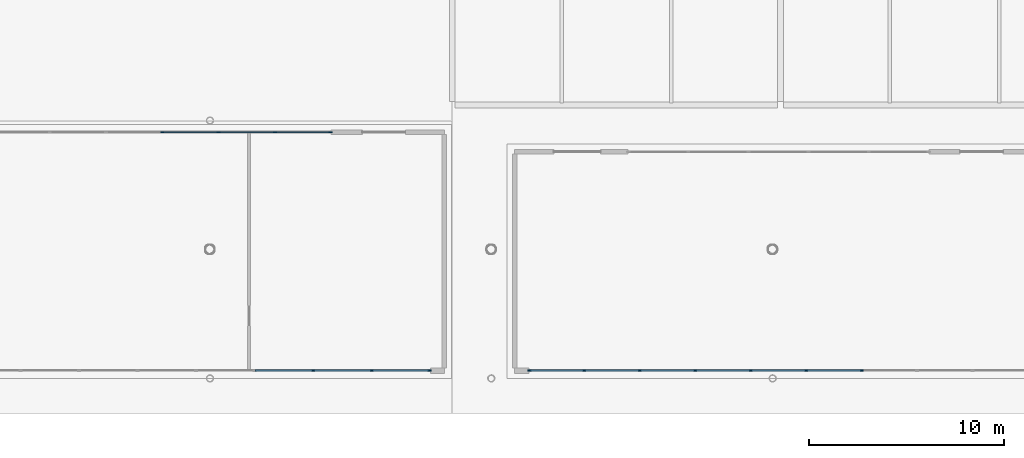
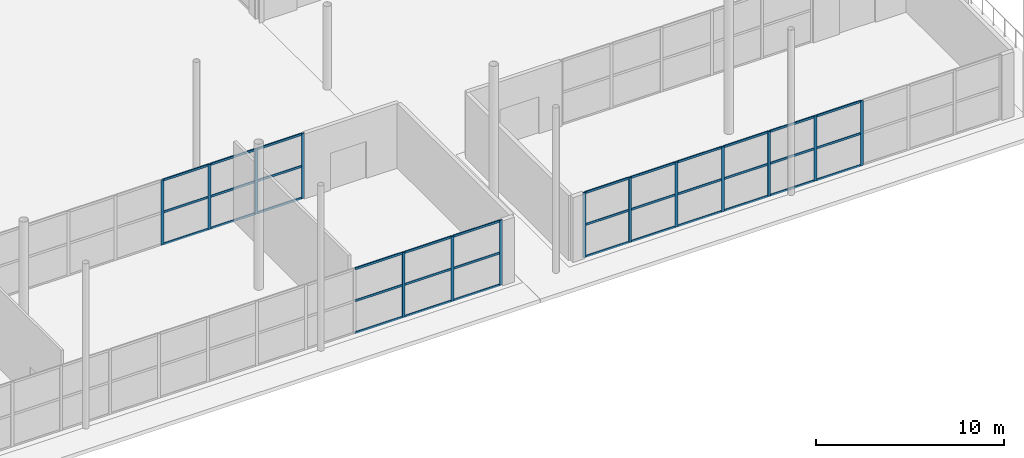
# One storey, part 20 of 87: 50 members, 3 elements without a shape of their own.
"""IFC4 building model written with IfcOpenShell, lengths in metres."""

from ifc_helpers import new_model, si_unit, direction, frame, origin, origin_2d, place, context, subcontext, project, spatial, rectangle, extrude, material, material_profile, profile_set, type_object, element, aggregate, save


model = new_model("IFC4")

# Units and contexts
model_context = context("Model", 3, precision=1e-05, world=origin(), true_north=direction((0.0, 1.0)))
body_context = subcontext(model_context, "Body", "Model", "MODEL_VIEW")
ifc_project = project(units=[si_unit("LENGTHUNIT", "METRE"), si_unit("AREAUNIT", "SQUARE_METRE"), si_unit("VOLUMEUNIT", "CUBIC_METRE"), si_unit("PLANEANGLEUNIT", "RADIAN"), si_unit("MASSUNIT", "GRAM", prefix="KILO")], contexts=[model_context])

# Site, building, storey
site_placement = place(None, origin())
site = spatial("IfcSite", under=ifc_project, at=site_placement, CompositionType="ELEMENT")
building_placement = place(site_placement, origin())
building = spatial("IfcBuilding", under=site, at=building_placement, Name="Kimbaza Rail Terminus", CompositionType="ELEMENT")
storey_placement = place(building_placement, origin())
storey = spatial("IfcBuildingStorey", under=building, at=storey_placement, Name="L00", CompositionType="ELEMENT", Elevation=0.0)

# Curtain wall, members
ifc_material_1 = material(Name="Anodised aluminium framing and solar low-E glazing", Category="aluminium")
curtain_wall_type = type_object("IfcCurtainWallType", Name="ARC-CW-PV1", PredefinedType="USERDEFINED", material=ifc_material_1)
curtain_wall_1_placement = place(storey_placement, origin())
curtain_wall_1 = element("IfcCurtainWall", 1, at=curtain_wall_1_placement, inside=storey, type_object=curtain_wall_type, Name="Bus Dispatch Hub North Curtain Wall", ObjectType="STICK CURTAIN WALL", PredefinedType="USERDEFINED")
ifc_material_2 = material(Name="Anodised architectural aluminium", Category="aluminium")
ifc_material_profile_1 = material_profile(ifc_material_2, rectangle(XDim=0.06494140625, YDim=0.175048828125, at=origin_2d()), Name="MULLION 65x175")
ifc_profile_set_1 = profile_set([ifc_material_profile_1], Name="Anodised architectural aluminium")
member_type_1 = type_object("IfcMemberType", Name="ARC-CWM-04", PredefinedType="MULLION", material=ifc_profile_set_1)
member_1_placement = place(storey_placement, frame((40.360107421875, 25.60009765625, 0.0), z_axis=(0.0, 0.0, 1.0), x_axis=(0.0, 1.0, 0.0)))
member_1 = element("IfcMember", 2, at=member_1_placement, type_object=member_type_1, Name="CW-04 mullion 8", PredefinedType="MULLION", context=body_context, shape_type="SweptSolid", body=[
    extrude(rectangle(XDim=0.06494140625, YDim=0.175048828125, at=origin_2d()), origin(), (0.0, 0.0, 1.0), 4.199951171875),
])
member_2_placement = place(storey_placement, frame((43.239990234375, 25.60009765625, 0.0), z_axis=(0.0, 0.0, 1.0), x_axis=(0.0, 1.0, 0.0)))
member_2 = element("IfcMember", 3, at=member_2_placement, type_object=member_type_1, Name="CW-04 mullion 9", PredefinedType="MULLION", context=body_context, shape_type="SweptSolid", body=[
    extrude(rectangle(XDim=0.06494140625, YDim=0.175048828125, at=origin_2d()), origin(), (0.0, 0.0, 1.0), 4.199951171875),
])
member_3_placement = place(storey_placement, frame((46.1201171875, 25.60009765625, 0.0), z_axis=(0.0, 0.0, 1.0), x_axis=(0.0, 1.0, 0.0)))
member_3 = element("IfcMember", 4, at=member_3_placement, type_object=member_type_1, Name="CW-04 mullion 10", PredefinedType="MULLION", context=body_context, shape_type="SweptSolid", body=[
    extrude(rectangle(XDim=0.06494140625, YDim=0.175048828125, at=origin_2d()), origin(), (0.0, 0.0, 1.0), 4.199951171875),
])
member_4_placement = place(storey_placement, frame((48.967529296875, 25.60009765625, 0.0), z_axis=(0.0, 0.0, 1.0), x_axis=(0.0, 1.0, 0.0)))
member_4 = element("IfcMember", 5, at=member_4_placement, type_object=member_type_1, Name="CW-04 mullion 11", PredefinedType="MULLION", context=body_context, shape_type="SweptSolid", body=[
    extrude(rectangle(XDim=0.06494140625, YDim=0.175048828125, at=origin_2d()), origin(), (0.0, 0.0, 1.0), 4.199951171875),
])

curtain_wall_2_placement = place(storey_placement, origin())
curtain_wall_2 = element("IfcCurtainWall", 6, at=curtain_wall_2_placement, inside=storey, type_object=curtain_wall_type, Name="Bus Dispatch Hub South Curtain Wall", ObjectType="STICK CURTAIN WALL", PredefinedType="USERDEFINED")
member_5_placement = place(storey_placement, frame((48.086181640625, 13.39990234375, 0.0), z_axis=(0.0, 0.0, 1.0), x_axis=(0.0, 1.0, 0.0)))
member_5 = element("IfcMember", 7, at=member_5_placement, type_object=member_type_1, Name="CW-04 mullion 12", PredefinedType="MULLION", context=body_context, shape_type="SweptSolid", body=[
    extrude(rectangle(XDim=0.06494140625, YDim=0.175048828125, at=origin_2d()), origin(), (0.0, 0.0, 1.0), 4.199951171875),
])
member_6_placement = place(storey_placement, frame((51.0830078125, 13.39990234375, 0.0), z_axis=(0.0, 0.0, 1.0), x_axis=(0.0, 1.0, 0.0)))
member_6 = element("IfcMember", 8, at=member_6_placement, type_object=member_type_1, Name="CW-04 mullion 13", PredefinedType="MULLION", context=body_context, shape_type="SweptSolid", body=[
    extrude(rectangle(XDim=0.06494140625, YDim=0.175048828125, at=origin_2d()), origin(), (0.0, 0.0, 1.0), 4.199951171875),
])
member_7_placement = place(storey_placement, frame((54.047607421875, 13.39990234375, 0.0), z_axis=(0.0, 0.0, 1.0), x_axis=(0.0, 1.0, 0.0)))
member_7 = element("IfcMember", 9, at=member_7_placement, type_object=member_type_1, Name="CW-04 mullion 14", PredefinedType="MULLION", context=body_context, shape_type="SweptSolid", body=[
    extrude(rectangle(XDim=0.06494140625, YDim=0.175048828125, at=origin_2d()), origin(), (0.0, 0.0, 1.0), 4.199951171875),
])

curtain_wall_3_placement = place(storey_placement, origin())
curtain_wall_3 = element("IfcCurtainWall", 10, at=curtain_wall_3_placement, inside=storey, type_object=curtain_wall_type, Name="Taxi Waiting Pavilion South Curtain Wall", ObjectType="STICK CURTAIN WALL", PredefinedType="USERDEFINED")
member_8_placement = place(storey_placement, frame((59.152587890625, 13.39990234375, 0.0), z_axis=(0.0, 0.0, 1.0), x_axis=(0.0, 1.0, 0.0)))
member_8 = element("IfcMember", 11, at=member_8_placement, type_object=member_type_1, Name="CW-04 mullion 1", PredefinedType="MULLION", context=body_context, shape_type="SweptSolid", body=[
    extrude(rectangle(XDim=0.06494140625, YDim=0.175048828125, at=origin_2d()), origin(), (0.0, 0.0, 1.0), 4.199951171875),
])
member_9_placement = place(storey_placement, frame((61.9599609375, 13.39990234375, 0.0), z_axis=(0.0, 0.0, 1.0), x_axis=(0.0, 1.0, 0.0)))
member_9 = element("IfcMember", 12, at=member_9_placement, type_object=member_type_1, Name="CW-04 mullion 2", PredefinedType="MULLION", context=body_context, shape_type="SweptSolid", body=[
    extrude(rectangle(XDim=0.06494140625, YDim=0.175048828125, at=origin_2d()), origin(), (0.0, 0.0, 1.0), 4.199951171875),
])
member_10_placement = place(storey_placement, frame((64.800048828125, 13.39990234375, 0.0), z_axis=(0.0, 0.0, 1.0), x_axis=(0.0, 1.0, 0.0)))
member_10 = element("IfcMember", 13, at=member_10_placement, type_object=member_type_1, Name="CW-04 mullion 3", PredefinedType="MULLION", context=body_context, shape_type="SweptSolid", body=[
    extrude(rectangle(XDim=0.06494140625, YDim=0.175048828125, at=origin_2d()), origin(), (0.0, 0.0, 1.0), 4.199951171875),
])
member_11_placement = place(storey_placement, frame((67.639892578125, 13.39990234375, 0.0), z_axis=(0.0, 0.0, 1.0), x_axis=(0.0, 1.0, 0.0)))
member_11 = element("IfcMember", 14, at=member_11_placement, type_object=member_type_1, Name="CW-04 mullion 4", PredefinedType="MULLION", context=body_context, shape_type="SweptSolid", body=[
    extrude(rectangle(XDim=0.06494140625, YDim=0.175048828125, at=origin_2d()), origin(), (0.0, 0.0, 1.0), 4.199951171875),
])
member_12_placement = place(storey_placement, frame((70.47998046875, 13.39990234375, 0.0), z_axis=(0.0, 0.0, 1.0), x_axis=(0.0, 1.0, 0.0)))
member_12 = element("IfcMember", 15, at=member_12_placement, type_object=member_type_1, Name="CW-04 mullion 5", PredefinedType="MULLION", context=body_context, shape_type="SweptSolid", body=[
    extrude(rectangle(XDim=0.06494140625, YDim=0.175048828125, at=origin_2d()), origin(), (0.0, 0.0, 1.0), 4.199951171875),
])
member_13_placement = place(storey_placement, frame((73.320068359375, 13.39990234375, 0.0), z_axis=(0.0, 0.0, 1.0), x_axis=(0.0, 1.0, 0.0)))
member_13 = element("IfcMember", 16, at=member_13_placement, type_object=member_type_1, Name="CW-04 mullion 6", PredefinedType="MULLION", context=body_context, shape_type="SweptSolid", body=[
    extrude(rectangle(XDim=0.06494140625, YDim=0.175048828125, at=origin_2d()), origin(), (0.0, 0.0, 1.0), 4.199951171875),
])
member_14_placement = place(storey_placement, frame((76.159912109375, 13.39990234375, 0.0), z_axis=(0.0, 0.0, 1.0), x_axis=(0.0, 1.0, 0.0)))
member_14 = element("IfcMember", 17, at=member_14_placement, type_object=member_type_1, Name="CW-04 mullion 7", PredefinedType="MULLION", context=body_context, shape_type="SweptSolid", body=[
    extrude(rectangle(XDim=0.06494140625, YDim=0.175048828125, at=origin_2d()), origin(), (0.0, 0.0, 1.0), 4.199951171875),
])

# Member
ifc_material_3 = material(Name="Anodised architectural aluminium", Category="aluminium")
ifc_material_profile_2 = material_profile(ifc_material_3, rectangle(XDim=0.06494140625, YDim=0.139892578125, at=origin_2d()), Name="TRANSOM 65x140")
ifc_profile_set_2 = profile_set([ifc_material_profile_2], Name="Anodised architectural aluminium")
member_type_2 = type_object("IfcMemberType", Name="ARC-CWT-04", PredefinedType="USERDEFINED", material=ifc_profile_set_2)
member_15_placement = place(storey_placement, frame((40.392578125, 25.60009765625, 0.032470703125), z_axis=(1.0, 0.0, 0.0), x_axis=(0.0, 1.0, 0.0)))
member_15 = element("IfcMember", 18, at=member_15_placement, type_object=member_type_2, Name="CW-04 transom 8.1", ObjectType="TRANSOM", PredefinedType="USERDEFINED", context=body_context, shape_type="SweptSolid", body=[
    extrude(rectangle(XDim=0.06494140625, YDim=0.139892578125, at=origin_2d()), origin(), (0.0, 0.0, 1.0), 2.81494140625),
])

member_16_placement = place(storey_placement, frame((40.392578125, 25.60009765625, 2.10009765625), z_axis=(1.0, 0.0, 0.0), x_axis=(0.0, 1.0, 0.0)))
member_16 = element("IfcMember", 19, at=member_16_placement, type_object=member_type_2, Name="CW-04 transom 8.2", ObjectType="TRANSOM", PredefinedType="USERDEFINED", context=body_context, shape_type="SweptSolid", body=[
    extrude(rectangle(XDim=0.06494140625, YDim=0.139892578125, at=origin_2d()), origin(), (0.0, 0.0, 1.0), 2.81494140625),
])

member_17_placement = place(storey_placement, frame((40.392578125, 25.60009765625, 4.16748046875), z_axis=(1.0, 0.0, 0.0), x_axis=(0.0, 1.0, 0.0)))
member_17 = element("IfcMember", 20, at=member_17_placement, type_object=member_type_2, Name="CW-04 transom 8.3", ObjectType="TRANSOM", PredefinedType="USERDEFINED", context=body_context, shape_type="SweptSolid", body=[
    extrude(rectangle(XDim=0.06494140625, YDim=0.139892578125, at=origin_2d()), origin(), (0.0, 0.0, 1.0), 2.81494140625),
])

member_18_placement = place(storey_placement, frame((43.2724609375, 25.60009765625, 0.032470703125), z_axis=(1.0, 0.0, 0.0), x_axis=(0.0, 1.0, 0.0)))
member_18 = element("IfcMember", 21, at=member_18_placement, type_object=member_type_2, Name="CW-04 transom 9.1", ObjectType="TRANSOM", PredefinedType="USERDEFINED", context=body_context, shape_type="SweptSolid", body=[
    extrude(rectangle(XDim=0.06494140625, YDim=0.139892578125, at=origin_2d()), origin(), (0.0, 0.0, 1.0), 2.81494140625),
])

member_19_placement = place(storey_placement, frame((43.2724609375, 25.60009765625, 2.10009765625), z_axis=(1.0, 0.0, 0.0), x_axis=(0.0, 1.0, 0.0)))
member_19 = element("IfcMember", 22, at=member_19_placement, type_object=member_type_2, Name="CW-04 transom 9.2", ObjectType="TRANSOM", PredefinedType="USERDEFINED", context=body_context, shape_type="SweptSolid", body=[
    extrude(rectangle(XDim=0.06494140625, YDim=0.139892578125, at=origin_2d()), origin(), (0.0, 0.0, 1.0), 2.81494140625),
])

member_20_placement = place(storey_placement, frame((43.2724609375, 25.60009765625, 4.16748046875), z_axis=(1.0, 0.0, 0.0), x_axis=(0.0, 1.0, 0.0)))
member_20 = element("IfcMember", 23, at=member_20_placement, type_object=member_type_2, Name="CW-04 transom 9.3", ObjectType="TRANSOM", PredefinedType="USERDEFINED", context=body_context, shape_type="SweptSolid", body=[
    extrude(rectangle(XDim=0.06494140625, YDim=0.139892578125, at=origin_2d()), origin(), (0.0, 0.0, 1.0), 2.81494140625),
])

member_21_placement = place(storey_placement, frame((46.152587890625, 25.60009765625, 0.032470703125), z_axis=(1.0, 0.0, 0.0), x_axis=(0.0, 1.0, 0.0)))
member_21 = element("IfcMember", 24, at=member_21_placement, type_object=member_type_2, Name="CW-04 transom 10.1", ObjectType="TRANSOM", PredefinedType="USERDEFINED", context=body_context, shape_type="SweptSolid", body=[
    extrude(rectangle(XDim=0.06494140625, YDim=0.139892578125, at=origin_2d()), origin(), (0.0, 0.0, 1.0), 2.782470703125),
])

member_22_placement = place(storey_placement, frame((46.152587890625, 25.60009765625, 2.10009765625), z_axis=(1.0, 0.0, 0.0), x_axis=(0.0, 1.0, 0.0)))
member_22 = element("IfcMember", 25, at=member_22_placement, type_object=member_type_2, Name="CW-04 transom 10.2", ObjectType="TRANSOM", PredefinedType="USERDEFINED", context=body_context, shape_type="SweptSolid", body=[
    extrude(rectangle(XDim=0.06494140625, YDim=0.139892578125, at=origin_2d()), origin(), (0.0, 0.0, 1.0), 2.782470703125),
])

member_23_placement = place(storey_placement, frame((46.152587890625, 25.60009765625, 4.16748046875), z_axis=(1.0, 0.0, 0.0), x_axis=(0.0, 1.0, 0.0)))
member_23 = element("IfcMember", 26, at=member_23_placement, type_object=member_type_2, Name="CW-04 transom 10.3", ObjectType="TRANSOM", PredefinedType="USERDEFINED", context=body_context, shape_type="SweptSolid", body=[
    extrude(rectangle(XDim=0.06494140625, YDim=0.139892578125, at=origin_2d()), origin(), (0.0, 0.0, 1.0), 2.782470703125),
])

aggregate(curtain_wall_1, [member_1, member_2, member_3, member_4, member_15, member_16, member_17, member_18, member_19, member_20, member_21, member_22, member_23])

member_24_placement = place(storey_placement, frame((45.121826171875, 13.39990234375, 0.032470703125), z_axis=(1.0, 0.0, 0.0), x_axis=(0.0, 1.0, 0.0)))
member_24 = element("IfcMember", 27, at=member_24_placement, type_object=member_type_2, Name="CW-04 transom 11.1", ObjectType="TRANSOM", PredefinedType="USERDEFINED", context=body_context, shape_type="SweptSolid", body=[
    extrude(rectangle(XDim=0.06494140625, YDim=0.139892578125, at=origin_2d()), origin(), (0.0, 0.0, 1.0), 2.931884765625),
])

member_25_placement = place(storey_placement, frame((45.121826171875, 13.39990234375, 2.10009765625), z_axis=(1.0, 0.0, 0.0), x_axis=(0.0, 1.0, 0.0)))
member_25 = element("IfcMember", 28, at=member_25_placement, type_object=member_type_2, Name="CW-04 transom 11.2", ObjectType="TRANSOM", PredefinedType="USERDEFINED", context=body_context, shape_type="SweptSolid", body=[
    extrude(rectangle(XDim=0.06494140625, YDim=0.139892578125, at=origin_2d()), origin(), (0.0, 0.0, 1.0), 2.931884765625),
])

member_26_placement = place(storey_placement, frame((45.121826171875, 13.39990234375, 4.16748046875), z_axis=(1.0, 0.0, 0.0), x_axis=(0.0, 1.0, 0.0)))
member_26 = element("IfcMember", 29, at=member_26_placement, type_object=member_type_2, Name="CW-04 transom 11.3", ObjectType="TRANSOM", PredefinedType="USERDEFINED", context=body_context, shape_type="SweptSolid", body=[
    extrude(rectangle(XDim=0.06494140625, YDim=0.139892578125, at=origin_2d()), origin(), (0.0, 0.0, 1.0), 2.931884765625),
])

member_27_placement = place(storey_placement, frame((48.11865234375, 13.39990234375, 0.032470703125), z_axis=(1.0, 0.0, 0.0), x_axis=(0.0, 1.0, 0.0)))
member_27 = element("IfcMember", 30, at=member_27_placement, type_object=member_type_2, Name="CW-04 transom 12.1", ObjectType="TRANSOM", PredefinedType="USERDEFINED", context=body_context, shape_type="SweptSolid", body=[
    extrude(rectangle(XDim=0.06494140625, YDim=0.139892578125, at=origin_2d()), origin(), (0.0, 0.0, 1.0), 2.931884765625),
])

member_28_placement = place(storey_placement, frame((48.11865234375, 13.39990234375, 2.10009765625), z_axis=(1.0, 0.0, 0.0), x_axis=(0.0, 1.0, 0.0)))
member_28 = element("IfcMember", 31, at=member_28_placement, type_object=member_type_2, Name="CW-04 transom 12.2", ObjectType="TRANSOM", PredefinedType="USERDEFINED", context=body_context, shape_type="SweptSolid", body=[
    extrude(rectangle(XDim=0.06494140625, YDim=0.139892578125, at=origin_2d()), origin(), (0.0, 0.0, 1.0), 2.931884765625),
])

member_29_placement = place(storey_placement, frame((48.11865234375, 13.39990234375, 4.16748046875), z_axis=(1.0, 0.0, 0.0), x_axis=(0.0, 1.0, 0.0)))
member_29 = element("IfcMember", 32, at=member_29_placement, type_object=member_type_2, Name="CW-04 transom 12.3", ObjectType="TRANSOM", PredefinedType="USERDEFINED", context=body_context, shape_type="SweptSolid", body=[
    extrude(rectangle(XDim=0.06494140625, YDim=0.139892578125, at=origin_2d()), origin(), (0.0, 0.0, 1.0), 2.931884765625),
])

member_30_placement = place(storey_placement, frame((51.115478515625, 13.39990234375, 0.032470703125), z_axis=(1.0, 0.0, 0.0), x_axis=(0.0, 1.0, 0.0)))
member_30 = element("IfcMember", 33, at=member_30_placement, type_object=member_type_2, Name="CW-04 transom 13.1", ObjectType="TRANSOM", PredefinedType="USERDEFINED", context=body_context, shape_type="SweptSolid", body=[
    extrude(rectangle(XDim=0.06494140625, YDim=0.139892578125, at=origin_2d()), origin(), (0.0, 0.0, 1.0), 2.8994140625),
])

member_31_placement = place(storey_placement, frame((51.115478515625, 13.39990234375, 2.10009765625), z_axis=(1.0, 0.0, 0.0), x_axis=(0.0, 1.0, 0.0)))
member_31 = element("IfcMember", 34, at=member_31_placement, type_object=member_type_2, Name="CW-04 transom 13.2", ObjectType="TRANSOM", PredefinedType="USERDEFINED", context=body_context, shape_type="SweptSolid", body=[
    extrude(rectangle(XDim=0.06494140625, YDim=0.139892578125, at=origin_2d()), origin(), (0.0, 0.0, 1.0), 2.8994140625),
])

member_32_placement = place(storey_placement, frame((51.115478515625, 13.39990234375, 4.16748046875), z_axis=(1.0, 0.0, 0.0), x_axis=(0.0, 1.0, 0.0)))
member_32 = element("IfcMember", 35, at=member_32_placement, type_object=member_type_2, Name="CW-04 transom 13.3", ObjectType="TRANSOM", PredefinedType="USERDEFINED", context=body_context, shape_type="SweptSolid", body=[
    extrude(rectangle(XDim=0.06494140625, YDim=0.139892578125, at=origin_2d()), origin(), (0.0, 0.0, 1.0), 2.8994140625),
])

aggregate(curtain_wall_2, [member_5, member_6, member_7, member_24, member_25, member_26, member_27, member_28, member_29, member_30, member_31, member_32])

member_33_placement = place(storey_placement, frame((59.18505859375, 13.39990234375, 0.032470703125), z_axis=(1.0, 0.0, 0.0), x_axis=(0.0, 1.0, 0.0)))
member_33 = element("IfcMember", 36, at=member_33_placement, type_object=member_type_2, Name="CW-04 transom 1.1", ObjectType="TRANSOM", PredefinedType="USERDEFINED", context=body_context, shape_type="SweptSolid", body=[
    extrude(rectangle(XDim=0.06494140625, YDim=0.139892578125, at=origin_2d()), origin(), (0.0, 0.0, 1.0), 2.742431640625),
])

member_34_placement = place(storey_placement, frame((59.18505859375, 13.39990234375, 2.10009765625), z_axis=(1.0, 0.0, 0.0), x_axis=(0.0, 1.0, 0.0)))
member_34 = element("IfcMember", 37, at=member_34_placement, type_object=member_type_2, Name="CW-04 transom 1.2", ObjectType="TRANSOM", PredefinedType="USERDEFINED", context=body_context, shape_type="SweptSolid", body=[
    extrude(rectangle(XDim=0.06494140625, YDim=0.139892578125, at=origin_2d()), origin(), (0.0, 0.0, 1.0), 2.742431640625),
])

member_35_placement = place(storey_placement, frame((59.18505859375, 13.39990234375, 4.16748046875), z_axis=(1.0, 0.0, 0.0), x_axis=(0.0, 1.0, 0.0)))
member_35 = element("IfcMember", 38, at=member_35_placement, type_object=member_type_2, Name="CW-04 transom 1.3", ObjectType="TRANSOM", PredefinedType="USERDEFINED", context=body_context, shape_type="SweptSolid", body=[
    extrude(rectangle(XDim=0.06494140625, YDim=0.139892578125, at=origin_2d()), origin(), (0.0, 0.0, 1.0), 2.742431640625),
])

member_36_placement = place(storey_placement, frame((61.992431640625, 13.39990234375, 0.032470703125), z_axis=(1.0, 0.0, 0.0), x_axis=(0.0, 1.0, 0.0)))
member_36 = element("IfcMember", 39, at=member_36_placement, type_object=member_type_2, Name="CW-04 transom 2.1", ObjectType="TRANSOM", PredefinedType="USERDEFINED", context=body_context, shape_type="SweptSolid", body=[
    extrude(rectangle(XDim=0.06494140625, YDim=0.139892578125, at=origin_2d()), origin(), (0.0, 0.0, 1.0), 2.775146484375),
])

member_37_placement = place(storey_placement, frame((61.992431640625, 13.39990234375, 2.10009765625), z_axis=(1.0, 0.0, 0.0), x_axis=(0.0, 1.0, 0.0)))
member_37 = element("IfcMember", 40, at=member_37_placement, type_object=member_type_2, Name="CW-04 transom 2.2", ObjectType="TRANSOM", PredefinedType="USERDEFINED", context=body_context, shape_type="SweptSolid", body=[
    extrude(rectangle(XDim=0.06494140625, YDim=0.139892578125, at=origin_2d()), origin(), (0.0, 0.0, 1.0), 2.775146484375),
])

member_38_placement = place(storey_placement, frame((61.992431640625, 13.39990234375, 4.16748046875), z_axis=(1.0, 0.0, 0.0), x_axis=(0.0, 1.0, 0.0)))
member_38 = element("IfcMember", 41, at=member_38_placement, type_object=member_type_2, Name="CW-04 transom 2.3", ObjectType="TRANSOM", PredefinedType="USERDEFINED", context=body_context, shape_type="SweptSolid", body=[
    extrude(rectangle(XDim=0.06494140625, YDim=0.139892578125, at=origin_2d()), origin(), (0.0, 0.0, 1.0), 2.775146484375),
])

member_39_placement = place(storey_placement, frame((64.83251953125, 13.39990234375, 0.032470703125), z_axis=(1.0, 0.0, 0.0), x_axis=(0.0, 1.0, 0.0)))
member_39 = element("IfcMember", 42, at=member_39_placement, type_object=member_type_2, Name="CW-04 transom 3.1", ObjectType="TRANSOM", PredefinedType="USERDEFINED", context=body_context, shape_type="SweptSolid", body=[
    extrude(rectangle(XDim=0.06494140625, YDim=0.139892578125, at=origin_2d()), origin(), (0.0, 0.0, 1.0), 2.77490234375),
])

member_40_placement = place(storey_placement, frame((64.83251953125, 13.39990234375, 2.10009765625), z_axis=(1.0, 0.0, 0.0), x_axis=(0.0, 1.0, 0.0)))
member_40 = element("IfcMember", 43, at=member_40_placement, type_object=member_type_2, Name="CW-04 transom 3.2", ObjectType="TRANSOM", PredefinedType="USERDEFINED", context=body_context, shape_type="SweptSolid", body=[
    extrude(rectangle(XDim=0.06494140625, YDim=0.139892578125, at=origin_2d()), origin(), (0.0, 0.0, 1.0), 2.77490234375),
])

member_41_placement = place(storey_placement, frame((64.83251953125, 13.39990234375, 4.16748046875), z_axis=(1.0, 0.0, 0.0), x_axis=(0.0, 1.0, 0.0)))
member_41 = element("IfcMember", 44, at=member_41_placement, type_object=member_type_2, Name="CW-04 transom 3.3", ObjectType="TRANSOM", PredefinedType="USERDEFINED", context=body_context, shape_type="SweptSolid", body=[
    extrude(rectangle(XDim=0.06494140625, YDim=0.139892578125, at=origin_2d()), origin(), (0.0, 0.0, 1.0), 2.77490234375),
])

member_42_placement = place(storey_placement, frame((67.672607421875, 13.39990234375, 0.032470703125), z_axis=(1.0, 0.0, 0.0), x_axis=(0.0, 1.0, 0.0)))
member_42 = element("IfcMember", 45, at=member_42_placement, type_object=member_type_2, Name="CW-04 transom 4.1", ObjectType="TRANSOM", PredefinedType="USERDEFINED", context=body_context, shape_type="SweptSolid", body=[
    extrude(rectangle(XDim=0.06494140625, YDim=0.139892578125, at=origin_2d()), origin(), (0.0, 0.0, 1.0), 2.77490234375),
])

member_43_placement = place(storey_placement, frame((67.672607421875, 13.39990234375, 2.10009765625), z_axis=(1.0, 0.0, 0.0), x_axis=(0.0, 1.0, 0.0)))
member_43 = element("IfcMember", 46, at=member_43_placement, type_object=member_type_2, Name="CW-04 transom 4.2", ObjectType="TRANSOM", PredefinedType="USERDEFINED", context=body_context, shape_type="SweptSolid", body=[
    extrude(rectangle(XDim=0.06494140625, YDim=0.139892578125, at=origin_2d()), origin(), (0.0, 0.0, 1.0), 2.77490234375),
])

member_44_placement = place(storey_placement, frame((67.672607421875, 13.39990234375, 4.16748046875), z_axis=(1.0, 0.0, 0.0), x_axis=(0.0, 1.0, 0.0)))
member_44 = element("IfcMember", 47, at=member_44_placement, type_object=member_type_2, Name="CW-04 transom 4.3", ObjectType="TRANSOM", PredefinedType="USERDEFINED", context=body_context, shape_type="SweptSolid", body=[
    extrude(rectangle(XDim=0.06494140625, YDim=0.139892578125, at=origin_2d()), origin(), (0.0, 0.0, 1.0), 2.77490234375),
])

member_45_placement = place(storey_placement, frame((70.512451171875, 13.39990234375, 0.032470703125), z_axis=(1.0, 0.0, 0.0), x_axis=(0.0, 1.0, 0.0)))
member_45 = element("IfcMember", 48, at=member_45_placement, type_object=member_type_2, Name="CW-04 transom 5.1", ObjectType="TRANSOM", PredefinedType="USERDEFINED", context=body_context, shape_type="SweptSolid", body=[
    extrude(rectangle(XDim=0.06494140625, YDim=0.139892578125, at=origin_2d()), origin(), (0.0, 0.0, 1.0), 2.775146484375),
])

member_46_placement = place(storey_placement, frame((70.512451171875, 13.39990234375, 2.10009765625), z_axis=(1.0, 0.0, 0.0), x_axis=(0.0, 1.0, 0.0)))
member_46 = element("IfcMember", 49, at=member_46_placement, type_object=member_type_2, Name="CW-04 transom 5.2", ObjectType="TRANSOM", PredefinedType="USERDEFINED", context=body_context, shape_type="SweptSolid", body=[
    extrude(rectangle(XDim=0.06494140625, YDim=0.139892578125, at=origin_2d()), origin(), (0.0, 0.0, 1.0), 2.775146484375),
])

member_47_placement = place(storey_placement, frame((70.512451171875, 13.39990234375, 4.16748046875), z_axis=(1.0, 0.0, 0.0), x_axis=(0.0, 1.0, 0.0)))
member_47 = element("IfcMember", 50, at=member_47_placement, type_object=member_type_2, Name="CW-04 transom 5.3", ObjectType="TRANSOM", PredefinedType="USERDEFINED", context=body_context, shape_type="SweptSolid", body=[
    extrude(rectangle(XDim=0.06494140625, YDim=0.139892578125, at=origin_2d()), origin(), (0.0, 0.0, 1.0), 2.775146484375),
])

member_48_placement = place(storey_placement, frame((73.3525390625, 13.39990234375, 0.032470703125), z_axis=(1.0, 0.0, 0.0), x_axis=(0.0, 1.0, 0.0)))
member_48 = element("IfcMember", 51, at=member_48_placement, type_object=member_type_2, Name="CW-04 transom 6.1", ObjectType="TRANSOM", PredefinedType="USERDEFINED", context=body_context, shape_type="SweptSolid", body=[
    extrude(rectangle(XDim=0.06494140625, YDim=0.139892578125, at=origin_2d()), origin(), (0.0, 0.0, 1.0), 2.77490234375),
])

member_49_placement = place(storey_placement, frame((73.3525390625, 13.39990234375, 2.10009765625), z_axis=(1.0, 0.0, 0.0), x_axis=(0.0, 1.0, 0.0)))
member_49 = element("IfcMember", 52, at=member_49_placement, type_object=member_type_2, Name="CW-04 transom 6.2", ObjectType="TRANSOM", PredefinedType="USERDEFINED", context=body_context, shape_type="SweptSolid", body=[
    extrude(rectangle(XDim=0.06494140625, YDim=0.139892578125, at=origin_2d()), origin(), (0.0, 0.0, 1.0), 2.77490234375),
])

member_50_placement = place(storey_placement, frame((73.3525390625, 13.39990234375, 4.16748046875), z_axis=(1.0, 0.0, 0.0), x_axis=(0.0, 1.0, 0.0)))
member_50 = element("IfcMember", 53, at=member_50_placement, type_object=member_type_2, Name="CW-04 transom 6.3", ObjectType="TRANSOM", PredefinedType="USERDEFINED", context=body_context, shape_type="SweptSolid", body=[
    extrude(rectangle(XDim=0.06494140625, YDim=0.139892578125, at=origin_2d()), origin(), (0.0, 0.0, 1.0), 2.77490234375),
])

aggregate(curtain_wall_3, [member_8, member_9, member_10, member_11, member_12, member_13, member_14, member_33, member_34, member_35, member_36, member_37, member_38, member_39, member_40, member_41, member_42, member_43, member_44, member_45, member_46, member_47, member_48, member_49, member_50])

save(model, "model.ifc")
